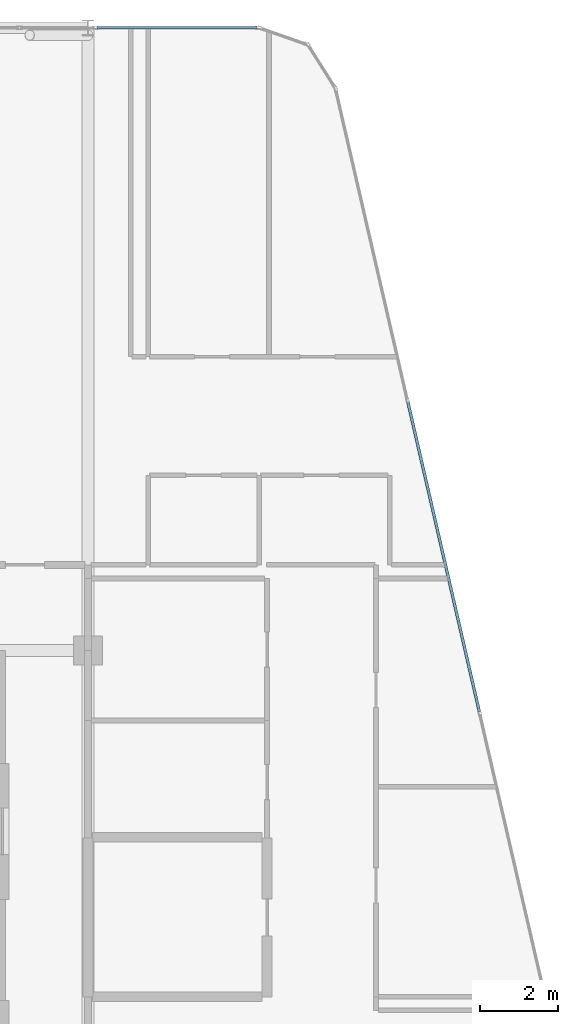
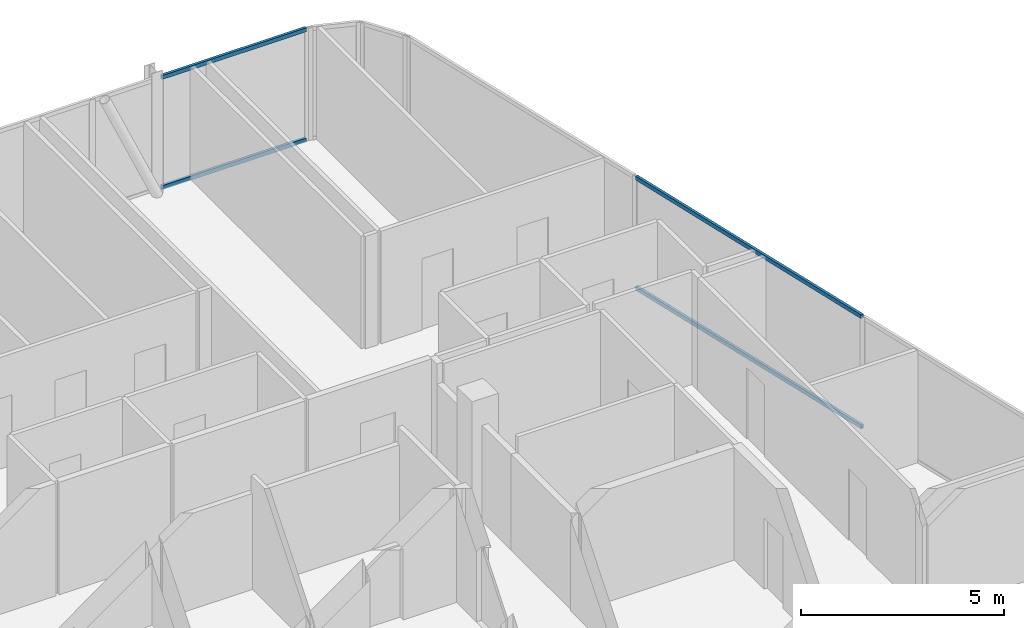
# One storey, part 18 of 27: 4 members, 2 elements without a shape of their own.
"""IFC4 building model written with IfcOpenShell, lengths in metres."""

from ifc_helpers import new_model, si_unit, direction, frame, origin, origin_2d, place, context, subcontext, project, spatial, hollow_rectangle, extrude, material, layer, layer_set, material_profile, profile_set, type_object, element, aggregate, save


model = new_model("IFC4")

# Units and contexts
model_context = context("Model", 3, precision=1e-05, world=origin(), true_north=direction((0.0, 1.0)))
body_context = subcontext(model_context, "Body", "Model", "MODEL_VIEW")
ifc_project = project(units=[si_unit("LENGTHUNIT", "METRE"), si_unit("AREAUNIT", "SQUARE_METRE"), si_unit("VOLUMEUNIT", "CUBIC_METRE"), si_unit("PLANEANGLEUNIT", "RADIAN"), si_unit("MASSUNIT", "GRAM", prefix="KILO")], contexts=[model_context])

# Site, building, storey
site_placement = place(None, origin())
site = spatial("IfcSite", under=ifc_project, at=site_placement, CompositionType="ELEMENT")
building_placement = place(site_placement, origin())
building = spatial("IfcBuilding", under=site, at=building_placement, Name="Keshet Zoharim Tower", CompositionType="ELEMENT")
storey_placement = place(building_placement, frame((0.0, 0.0, 262.10009765625)))
storey = spatial("IfcBuildingStorey", under=building, at=storey_placement, Name="L65", CompositionType="ELEMENT", Elevation=262.10009765625)

# Curtain wall, members
ifc_material = material(Name="Aluminium 6063-T6", Category="aluminium")
ifc_layer = layer(ifc_material, 0.260009765625)
ifc_layer_set = layer_set([ifc_layer], Name="Aluminium 6063-T6")
curtain_wall_type = type_object("IfcCurtainWallType", Name="CW-SYS-06", PredefinedType="NOTDEFINED", material=ifc_layer_set)
curtain_wall_1_placement = place(storey_placement, origin())
curtain_wall_1 = element("IfcCurtainWall", 1, at=curtain_wall_1_placement, inside=storey, type_object=curtain_wall_type, Name="L65 Unitised Curtain Wall 06 Part 5", PredefinedType="NOTDEFINED")
ifc_material_profile = material_profile(ifc_material, hollow_rectangle(XDim=0.074951171875, YDim=0.1201171875, WallThickness=0.00390625, at=origin_2d()), Name="TRN-75x120")
ifc_profile_set = profile_set([ifc_material_profile], Name="Aluminium 6063-T6")
member_type = type_object("IfcMemberType", Name="CWT-T12", PredefinedType="USERDEFINED", material=ifc_profile_set)
member_1_placement = place(storey_placement, frame((33.224853515625, 53.89990234375, 0.034912109375), z_axis=(1.0, 0.0, 0.0), x_axis=(0.0, 1.0, 0.0)))
member_1 = element("IfcMember", 2, at=member_1_placement, type_object=member_type, Name="CW-06 transom 1.1", ObjectType="TRANSOM", PredefinedType="USERDEFINED", context=body_context, shape_type="SweptSolid", body=[
    extrude(hollow_rectangle(XDim=0.074951171875, YDim=0.1201171875, WallThickness=0.00390625, at=origin_2d()), origin(), (0.0, 0.0, 1.0), 4.1142578125),
])
member_2_placement = place(storey_placement, frame((33.224853515625, 53.89990234375, 3.35498046875), z_axis=(1.0, 0.0, 0.0), x_axis=(0.0, 1.0, 0.0)))
member_2 = element("IfcMember", 3, at=member_2_placement, type_object=member_type, Name="CW-06 transom 1.2", ObjectType="TRANSOM", PredefinedType="USERDEFINED", context=body_context, shape_type="SweptSolid", body=[
    extrude(hollow_rectangle(XDim=0.074951171875, YDim=0.1201171875, WallThickness=0.00390625, at=origin_2d()), origin(), (0.0, 0.0, 1.0), 4.1142578125),
])
aggregate(curtain_wall_1, [member_1, member_2])

curtain_wall_2_placement = place(storey_placement, origin())
curtain_wall_2 = element("IfcCurtainWall", 4, at=curtain_wall_2_placement, inside=storey, type_object=curtain_wall_type, Name="L65 Unitised Curtain Wall 09", PredefinedType="NOTDEFINED")
member_3_placement = place(storey_placement, frame((41.218505859375, 44.28662109375, 0.034912109375), z_axis=(0.224826771459, -0.974398749402, 0.0), x_axis=(0.974398749402, 0.224826771459, 0.0)))
member_3 = element("IfcMember", 5, at=member_3_placement, type_object=member_type, Name="CW-06 transom 2.1", ObjectType="TRANSOM", PredefinedType="USERDEFINED", context=body_context, shape_type="SweptSolid", body=[
    extrude(hollow_rectangle(XDim=0.074951171875, YDim=0.1201171875, WallThickness=0.00390625, at=origin_2d()), origin(), (0.0, 0.0, 1.0), 8.17041015625),
])
member_4_placement = place(storey_placement, frame((41.218505859375, 44.28662109375, 3.35498046875), z_axis=(0.224826771459, -0.974398749402, 0.0), x_axis=(0.974398749402, 0.224826771459, 0.0)))
member_4 = element("IfcMember", 6, at=member_4_placement, type_object=member_type, Name="CW-06 transom 2.2", ObjectType="TRANSOM", PredefinedType="USERDEFINED", context=body_context, shape_type="SweptSolid", body=[
    extrude(hollow_rectangle(XDim=0.074951171875, YDim=0.1201171875, WallThickness=0.00390625, at=origin_2d()), origin(), (0.0, 0.0, 1.0), 8.17041015625),
])
aggregate(curtain_wall_2, [member_3, member_4])

save(model, "model.ifc")
